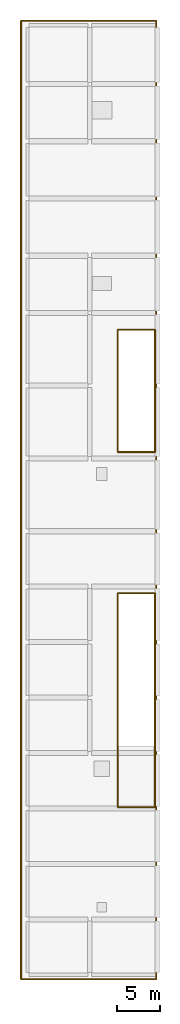
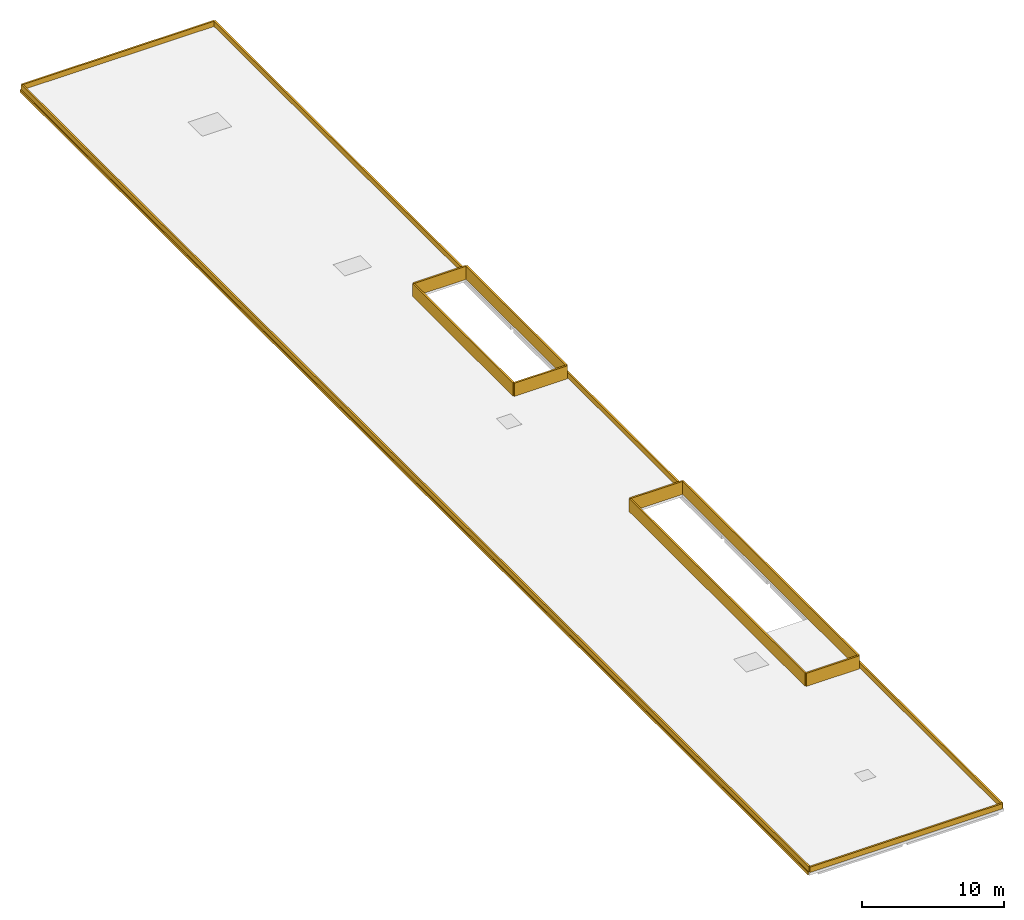
# One storey, part 3 of 3: 13 coverings.
"""IFC4 building model written with IfcOpenShell, lengths in metres."""

from ifc_helpers import new_model, si_unit, derived_unit, direction, frame, origin, origin_2d, place, context, subcontext, project, spatial, rectangle, extrude, material, layer, layer_set, type_object, element, save


model = new_model("IFC4")

# Units and contexts
model_context = context("Model", 3, precision=1e-05, world=origin(), true_north=direction((0.0, 1.0)))
body_context = subcontext(model_context, "Body", "Model", "MODEL_VIEW")
ifc_project = project(units=[si_unit("LENGTHUNIT", "METRE"), si_unit("AREAUNIT", "SQUARE_METRE"), si_unit("VOLUMEUNIT", "CUBIC_METRE"), si_unit("PLANEANGLEUNIT", "RADIAN"), si_unit("MASSUNIT", "GRAM", prefix="KILO"), derived_unit("THERMALTRANSMITTANCEUNIT", [(si_unit("POWERUNIT", "WATT"), 1), (si_unit("LENGTHUNIT", "METRE"), -2), (si_unit("THERMODYNAMICTEMPERATUREUNIT", "KELVIN"), -1)])], contexts=[model_context])

# Site, building, storey
site_placement = place(None, origin())
site = spatial("IfcSite", under=ifc_project, at=site_placement, CompositionType="ELEMENT")
building_placement = place(site_placement, origin())
building = spatial("IfcBuilding", under=site, at=building_placement, Name="Braskholm Square Health Centre", CompositionType="ELEMENT")
storey_placement = place(building_placement, frame((0.0, 0.0, 25.64990234375)))
storey = spatial("IfcBuildingStorey", under=building, at=storey_placement, Name="ROOF", CompositionType="ELEMENT", Elevation=25.64990234375)

# Coverings
ifc_material_1 = material(Name="Dark patinated chevron architectural bronze", Category="aluminium")
ifc_layer_1 = layer(ifc_material_1, 0.070068359375)
ifc_layer_set_1 = layer_set([ifc_layer_1], Name="Dark patinated chevron architectural bronze")
covering_type_1 = type_object("IfcCoveringType", Name="BronzeZigguratFriezeCladding", PredefinedType="CLADDING", material=ifc_layer_set_1)
covering_1_placement = place(storey_placement, frame((3.419921875, 59.0, -0.19970703125), z_axis=(0.0, 0.0, 1.0), x_axis=(1.0, 0.0, 0.0)))
element("IfcCovering", 1, at=covering_1_placement, inside=storey, type_object=covering_type_1, Name="Classical Art Deco architectural trim 0900", PredefinedType="CLADDING", context=body_context, shape_type="SweptSolid", body=[
    extrude(rectangle(XDim=0.1201171875, YDim=110.60009765625, at=origin_2d()), origin(), (0.0, 0.0, 1.0), 0.219970703125),
])
ifc_material_2 = material(Name="Mankato-Kasota dolomitic limestone ashlar", Category="masonry")
ifc_layer_2 = layer(ifc_material_2, 0.090087890625)
ifc_layer_set_2 = layer_set([ifc_layer_2], Name="Mankato-Kasota dolomitic limestone ashlar")
covering_type_2 = type_object("IfcCoveringType", Name="KasotaAshlarBaseCladding", PredefinedType="CLADDING", material=ifc_layer_set_2)
covering_2_placement = place(storey_placement, frame((11.300048828125, 3.699951171875, 0.0), z_axis=(0.0, 0.0, 1.0), x_axis=(1.0, 0.0, 0.0)))
element("IfcCovering", 2, at=covering_2_placement, inside=storey, type_object=covering_type_2, Name="Stepped precast roof cornice trim 0922", PredefinedType="CLADDING", context=body_context, shape_type="SweptSolid", body=[
    extrude(rectangle(XDim=15.60009765625, YDim=0.139892578125, at=origin_2d()), origin(), (0.0, 0.0, 1.0), 0.449951171875),
])
covering_3_placement = place(storey_placement, frame((19.10009765625, 59.0, 0.0), z_axis=(0.0, 0.0, 1.0), x_axis=(0.0, 1.0, 0.0)))
element("IfcCovering", 3, at=covering_3_placement, inside=storey, type_object=covering_type_2, Name="Stepped precast roof cornice trim 0923", PredefinedType="CLADDING", context=body_context, shape_type="SweptSolid", body=[
    extrude(rectangle(XDim=110.60009765625, YDim=0.139892578125, at=origin_2d()), origin(), (0.0, 0.0, 1.0), 0.449951171875),
])
covering_4_placement = place(storey_placement, frame((11.300048828125, 114.300048828125, 0.0), z_axis=(0.0, 0.0, 1.0), x_axis=(-1.0, 0.0, 0.0)))
element("IfcCovering", 4, at=covering_4_placement, inside=storey, type_object=covering_type_2, Name="Stepped precast roof cornice trim 0924", PredefinedType="CLADDING", context=body_context, shape_type="SweptSolid", body=[
    extrude(rectangle(XDim=15.60009765625, YDim=0.139892578125, at=origin_2d()), origin(), (0.0, 0.0, 1.0), 0.449951171875),
])
covering_5_placement = place(storey_placement, frame((3.5, 59.0, 0.0), z_axis=(0.0, 0.0, 1.0), x_axis=(0.0, -1.0, 0.0)))
element("IfcCovering", 5, at=covering_5_placement, inside=storey, type_object=covering_type_2, Name="Stepped precast roof cornice trim 0925", PredefinedType="CLADDING", context=body_context, shape_type="SweptSolid", body=[
    extrude(rectangle(XDim=110.60009765625, YDim=0.139892578125, at=origin_2d()), origin(), (0.0, 0.0, 1.0), 0.449951171875),
])
covering_6_placement = place(storey_placement, frame((16.800048828125, 23.550048828125, 0.0), z_axis=(0.0, 0.0, 1.0), x_axis=(1.0, 0.0, 0.0)))
element("IfcCovering", 6, at=covering_6_placement, inside=storey, type_object=covering_type_2, Name="Stepped precast roof cornice trim 0930", PredefinedType="CLADDING", context=body_context, shape_type="SweptSolid", body=[
    extrude(rectangle(XDim=4.300048828125, YDim=0.139892578125, at=origin_2d()), origin(), (0.0, 0.0, 1.0), 1.1201171875),
])
covering_7_placement = place(storey_placement, frame((18.949951171875, 35.89990234375, 0.0), z_axis=(0.0, 0.0, 1.0), x_axis=(0.0, 1.0, 0.0)))
element("IfcCovering", 7, at=covering_7_placement, inside=storey, type_object=covering_type_2, Name="Stepped precast roof cornice trim 0931", PredefinedType="CLADDING", context=body_context, shape_type="SweptSolid", body=[
    extrude(rectangle(XDim=24.699951171875, YDim=0.139892578125, at=origin_2d()), origin(), (0.0, 0.0, 1.0), 1.1201171875),
])
covering_8_placement = place(storey_placement, frame((16.800048828125, 48.25, 0.0), z_axis=(0.0, 0.0, 1.0), x_axis=(-1.0, 0.0, 0.0)))
element("IfcCovering", 8, at=covering_8_placement, inside=storey, type_object=covering_type_2, Name="Stepped precast roof cornice trim 0932", PredefinedType="CLADDING", context=body_context, shape_type="SweptSolid", body=[
    extrude(rectangle(XDim=4.300048828125, YDim=0.139892578125, at=origin_2d()), origin(), (0.0, 0.0, 1.0), 1.1201171875),
])
covering_9_placement = place(storey_placement, frame((14.64990234375, 35.89990234375, 0.0), z_axis=(0.0, 0.0, 1.0), x_axis=(0.0, -1.0, 0.0)))
element("IfcCovering", 9, at=covering_9_placement, inside=storey, type_object=covering_type_2, Name="Stepped precast roof cornice trim 0933", PredefinedType="CLADDING", context=body_context, shape_type="SweptSolid", body=[
    extrude(rectangle(XDim=24.699951171875, YDim=0.139892578125, at=origin_2d()), origin(), (0.0, 0.0, 1.0), 1.1201171875),
])
covering_10_placement = place(storey_placement, frame((16.800048828125, 64.550048828125, 0.0), z_axis=(0.0, 0.0, 1.0), x_axis=(1.0, 0.0, 0.0)))
element("IfcCovering", 10, at=covering_10_placement, inside=storey, type_object=covering_type_2, Name="Stepped precast roof cornice trim 0934", PredefinedType="CLADDING", context=body_context, shape_type="SweptSolid", body=[
    extrude(rectangle(XDim=4.300048828125, YDim=0.139892578125, at=origin_2d()), origin(), (0.0, 0.0, 1.0), 1.1201171875),
])
covering_11_placement = place(storey_placement, frame((18.949951171875, 71.60009765625, 0.0), z_axis=(0.0, 0.0, 1.0), x_axis=(0.0, 1.0, 0.0)))
element("IfcCovering", 11, at=covering_11_placement, inside=storey, type_object=covering_type_2, Name="Stepped precast roof cornice trim 0935", PredefinedType="CLADDING", context=body_context, shape_type="SweptSolid", body=[
    extrude(rectangle(XDim=14.10009765625, YDim=0.139892578125, at=origin_2d()), origin(), (0.0, 0.0, 1.0), 1.1201171875),
])
covering_12_placement = place(storey_placement, frame((16.800048828125, 78.64990234375, 0.0), z_axis=(0.0, 0.0, 1.0), x_axis=(-1.0, 0.0, 0.0)))
element("IfcCovering", 12, at=covering_12_placement, inside=storey, type_object=covering_type_2, Name="Stepped precast roof cornice trim 0936", PredefinedType="CLADDING", context=body_context, shape_type="SweptSolid", body=[
    extrude(rectangle(XDim=4.300048828125, YDim=0.139892578125, at=origin_2d()), origin(), (0.0, 0.0, 1.0), 1.1201171875),
])
covering_13_placement = place(storey_placement, frame((14.64990234375, 71.60009765625, 0.0), z_axis=(0.0, 0.0, 1.0), x_axis=(0.0, -1.0, 0.0)))
element("IfcCovering", 13, at=covering_13_placement, inside=storey, type_object=covering_type_2, Name="Stepped precast roof cornice trim 0937", PredefinedType="CLADDING", context=body_context, shape_type="SweptSolid", body=[
    extrude(rectangle(XDim=14.10009765625, YDim=0.139892578125, at=origin_2d()), origin(), (0.0, 0.0, 1.0), 1.1201171875),
])

save(model, "model.ifc")
